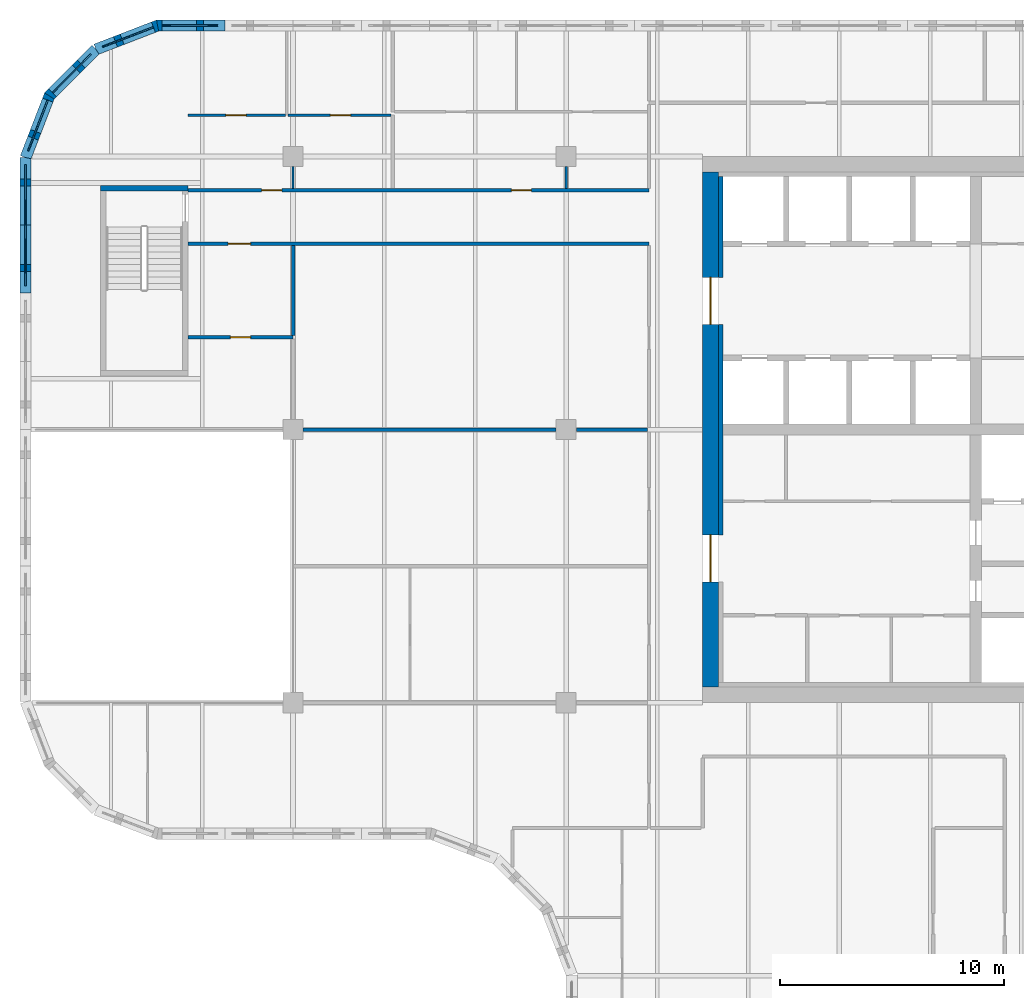
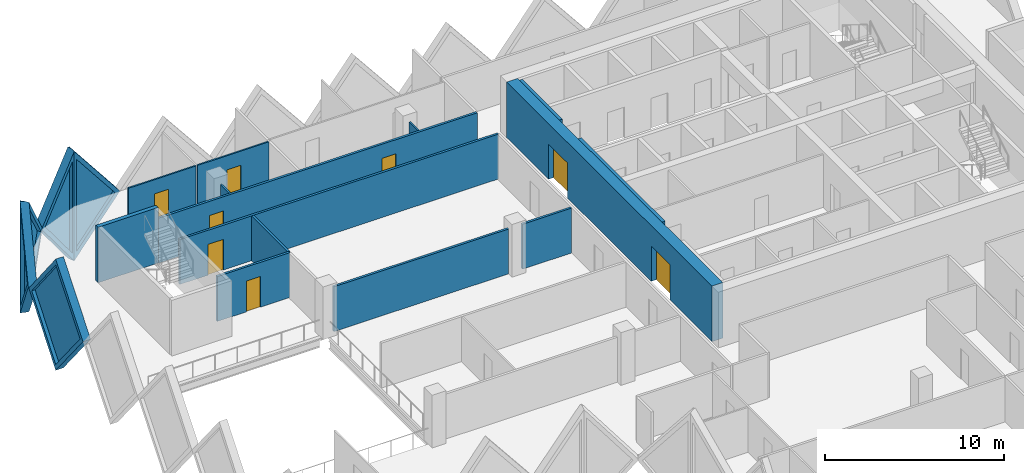
# One storey, part 7 of 12: 19 walls, 8 doors, 5 plates, 13 openings.
"""IFC4 building model written with IfcOpenShell, lengths in metres."""

from ifc_helpers import new_model, si_unit, direction, frame, frame_2d, origin, place, context, subcontext, project, spatial, polyline, rectangle, outline, extrude, faceted_brep, source, transform, mapped, material, layer, layer_set, type_object, element, fill, save


model = new_model("IFC4")

# Units and contexts
model_context = context("Model", 3, precision=1e-05, world=origin(), true_north=direction((0.0, 1.0)))
body_context = subcontext(model_context, "Body", "Model", "MODEL_VIEW")
ifc_project = project(units=[si_unit("LENGTHUNIT", "METRE"), si_unit("AREAUNIT", "SQUARE_METRE"), si_unit("VOLUMEUNIT", "CUBIC_METRE"), si_unit("PLANEANGLEUNIT", "RADIAN"), si_unit("MASSUNIT", "GRAM", prefix="KILO")], contexts=[model_context])

# Site, building, storey
site_placement = place(None, origin())
site = spatial("IfcSite", under=ifc_project, at=site_placement, CompositionType="ELEMENT")
building_placement = place(site_placement, origin())
building = spatial("IfcBuilding", under=site, at=building_placement, Name="Tessera Gate Towers", CompositionType="ELEMENT")
storey_placement = place(building_placement, frame((0.0, 0.0, 143.0)))
storey = spatial("IfcBuildingStorey", under=building, at=storey_placement, Name="L35", CompositionType="ELEMENT", Elevation=143.0)

# Wall
ifc_material_1 = material(Name="Concrete C40/50", Category="concrete")
ifc_layer_1 = layer(ifc_material_1, 0.25)
ifc_layer_set_1 = layer_set([ifc_layer_1], Name="CORE ENCLOSURE WALL 250")
wall_type_1 = type_object("IfcWallType", Name="CORE ENCLOSURE WALL 250", PredefinedType="SOLIDWALL", material=ifc_layer_set_1)
wall_1_placement = place(storey_placement, frame((3.60009765625, 47.375, 0.0), z_axis=(0.0, 0.0, 1.0), x_axis=(1.0, 0.0, 0.0)))
element("IfcWall", 1, at=wall_1_placement, inside=storey, type_object=wall_type_1, Name="L35 ST3 enclosure wall", PredefinedType="SOLIDWALL", context=body_context, shape_type="SweptSolid", body=[
    extrude(rectangle(XDim=3.89990234375, YDim=0.25, at=frame_2d((1.949951171875, 0.0))), origin(), (0.0, 0.0, 1.0), 3.800048828125),
])

# Wall, openings, doors
ifc_material_2 = material(Name="Concrete C60/75", Category="concrete")
ifc_layer_2 = layer(ifc_material_2, 0.699951171875)
ifc_layer_set_2 = layer_set([ifc_layer_2], Name="CORE SHEAR WALL 700 C60/75")
wall_type_2 = type_object("IfcWallType", Name="CORE SHEAR WALL 700 C60/75", PredefinedType="SHEAR", material=ifc_layer_set_2)
wall_2_placement = place(storey_placement, frame((30.85009765625, 25.10009765625, 0.0), z_axis=(0.0, 0.0, 1.0), x_axis=(0.0, 1.0, 0.0)))
wall_2 = element("IfcWall", 2, at=wall_2_placement, inside=storey, type_object=wall_type_2, Name="Core wall W L35", PredefinedType="SHEAR", context=body_context, shape_type="SweptSolid", body=[
    extrude(rectangle(XDim=23.0, YDim=0.699951171875, at=frame_2d((11.5, 0.0))), origin(), (0.0, 0.0, 1.0), 3.800048828125),
])
shared_shape_1 = source(origin(), body_context, "Body", "SweptSolid", [
    extrude(rectangle(XDim=2.10009765625, YDim=2.39990234375, at=frame_2d((1.050048828125, 1.199951171875))), frame((0.0, 0.35986328125, 0.0), z_axis=(0.0, -1.0, 0.0), x_axis=(1.0, 0.0, 0.0)), (0.0, 0.0, 1.0), 0.719970703125),
])
opening_1_placement = place(wall_2_placement, frame((4.699951171875, 0.0, 0.0)))
opening_1 = element("IfcOpeningElement", 3, at=opening_1_placement, cuts=wall_2, Name="Opening DD-T1-23-02", PredefinedType="OPENING", context=body_context, shape_type="MappedRepresentation", body=[
    mapped(shared_shape_1, transform((0.0, 0.0, 0.0), scale=1.0)),
])
opening_2_placement = place(wall_2_placement, frame((16.199951171875, 0.0, 0.0)))
opening_2 = element("IfcOpeningElement", 4, at=opening_2_placement, cuts=wall_2, Name="Opening DD-T1-23-03", PredefinedType="OPENING", context=body_context, shape_type="MappedRepresentation", body=[
    mapped(shared_shape_1, transform((0.0, 0.0, 0.0), scale=1.0)),
])
ifc_material_3 = material(Name="Hollow steel fire door", Category="steel")
door_type_1 = type_object("IfcDoorType", Name="CORE DOOR DD 2100x2400", OperationType="NOTDEFINED", PredefinedType="DOOR", material=ifc_material_3)
shared_shape_2 = source(origin(), body_context, "Body", "SweptSolid", [
    extrude(rectangle(XDim=2.10009765625, YDim=2.39990234375, at=frame_2d((1.050048828125, 1.199951171875))), frame((0.0, 0.02490234375, 0.0), z_axis=(0.0, -1.0, 0.0), x_axis=(1.0, 0.0, 0.0)), (0.0, 0.0, 1.0), 0.050048828125),
])
door_1_placement = place(opening_1_placement, origin())
door_1 = element("IfcDoor", 5, at=door_1_placement, inside=storey, type_object=door_type_1, Name="Core entrance door", OperationType="DOUBLE_DOOR_SINGLE_SWING", OverallHeight=2.39990234375, OverallWidth=2.10009765625, PredefinedType="DOOR", context=body_context, shape_type="MappedRepresentation", body=[
    mapped(shared_shape_2, transform((0.0, 0.0, 0.0), scale=1.0)),
])
fill(opening_1, door_1)
door_2_placement = place(opening_2_placement, origin())
door_2 = element("IfcDoor", 6, at=door_2_placement, inside=storey, type_object=door_type_1, Name="Core entrance door", OperationType="DOUBLE_DOOR_SINGLE_SWING", OverallHeight=2.39990234375, OverallWidth=2.10009765625, PredefinedType="DOOR", context=body_context, shape_type="MappedRepresentation", body=[
    mapped(shared_shape_2, transform((0.0, 0.0, 0.0), scale=1.0)),
])
fill(opening_2, door_2)

# Walls
ifc_material_4 = material(Name="Concrete C60/75", Category="concrete")
ifc_layer_3 = layer(ifc_material_4, 0.199951171875)
ifc_layer_set_3 = layer_set([ifc_layer_3], Name="CORE WALL THICKENING 200")
wall_type_3 = type_object("IfcWallType", Name="CORE WALL THICKENING 200", PredefinedType="SOLIDWALL", material=ifc_layer_set_3)
wall_3_placement = place(storey_placement, frame((31.300048828125, 31.89990234375, 0.0), z_axis=(0.0, 0.0, 1.0), x_axis=(0.0, 1.0, 0.0)))
element("IfcWall", 7, at=wall_3_placement, inside=storey, type_object=wall_type_3, Name="Core wall thickening W L35", PredefinedType="SOLIDWALL", context=body_context, shape_type="SweptSolid", body=[
    extrude(rectangle(XDim=9.400146484375, YDim=0.199951171875, at=frame_2d((4.7001953125, 0.0))), origin(), (0.0, 0.0, 1.0), 3.800048828125),
])
wall_4_placement = place(storey_placement, frame((31.300048828125, 43.39990234375, 0.0), z_axis=(0.0, 0.0, 1.0), x_axis=(0.0, 1.0, 0.0)))
element("IfcWall", 8, at=wall_4_placement, inside=storey, type_object=wall_type_3, Name="Core wall thickening W L35", PredefinedType="SOLIDWALL", context=body_context, shape_type="SweptSolid", body=[
    extrude(rectangle(XDim=4.5, YDim=0.199951171875, at=frame_2d((2.25, 0.0))), origin(), (0.0, 0.0, 1.0), 3.800048828125),
])

# Wall, opening, door
ifc_material_5 = material(Name="Gypsum board on steel studs, mineral wool", Category="steel")
ifc_layer_4 = layer(ifc_material_5, 0.14990234375)
ifc_layer_set_4 = layer_set([ifc_layer_4], Name="CORRIDOR WALL 150")
wall_type_4 = type_object("IfcWallType", Name="CORRIDOR WALL 150", PredefinedType="PARTITIONING", material=ifc_layer_set_4)
wall_5_placement = place(storey_placement, frame((28.10009765625, 44.89990234375, 0.0), z_axis=(0.0, 0.0, 1.0), x_axis=(-1.0, 0.0, 0.0)))
wall_5 = element("IfcWall", 9, at=wall_5_placement, inside=storey, type_object=wall_type_4, Name="T1-L35-PW-040", PredefinedType="PARTITIONING", context=body_context, shape_type="SweptSolid", body=[
    extrude(rectangle(XDim=20.60009765625, YDim=0.14990234375, at=frame_2d((10.300048828125, 0.0))), origin(), (0.0, 0.0, 1.0), 3.06689453125),
])
shared_shape_3 = source(origin(), body_context, "Body", "SweptSolid", [
    extrude(rectangle(XDim=1.0, YDim=2.10009765625, at=frame_2d((0.5, 1.050048828125))), frame((0.0, 0.0849609375, 0.0), z_axis=(0.0, -1.0, 0.0), x_axis=(1.0, 0.0, 0.0)), (0.0, 0.0, 1.0), 0.169921875),
])
opening_3_placement = place(wall_5_placement, frame((17.800048828125, 0.0, 0.0)))
opening_3 = element("IfcOpeningElement", 10, at=opening_3_placement, cuts=wall_5, Name="Opening D2100FD60-A13-01", PredefinedType="OPENING", context=body_context, shape_type="MappedRepresentation", body=[
    mapped(shared_shape_3, transform((0.0, 0.0, 0.0), scale=1.0)),
])
ifc_material_6 = material(Name="Timber door leaf in steel frame", Category="steel")
door_type_2 = type_object("IfcDoorType", Name="TENANCY ENTRANCE DOOR 1000 FD60", OperationType="NOTDEFINED", PredefinedType="DOOR", material=ifc_material_6)
shared_shape_4 = source(origin(), body_context, "Body", "SweptSolid", [
    extrude(rectangle(XDim=1.0, YDim=2.10009765625, at=frame_2d((0.5, 1.050048828125))), frame((0.0, 0.02490234375, 0.0), z_axis=(0.0, -1.0, 0.0), x_axis=(1.0, 0.0, 0.0)), (0.0, 0.0, 1.0), 0.050048828125),
])
door_3_placement = place(opening_3_placement, origin())
door_3 = element("IfcDoor", 11, at=door_3_placement, inside=storey, type_object=door_type_2, Name="T1-L35-PD-006", OperationType="SINGLE_SWING_RIGHT", OverallHeight=2.10009765625, OverallWidth=1.0, PredefinedType="DOOR", context=body_context, shape_type="MappedRepresentation", body=[
    mapped(shared_shape_4, transform((0.0, 0.0, 0.0), scale=1.0)),
])
fill(opening_3, door_3)

# Wall, openings, doors
wall_6_placement = place(storey_placement, frame((7.5, 47.300048828125, 0.0), z_axis=(0.0, 0.0, 1.0), x_axis=(1.0, 0.0, 0.0)))
wall_6 = element("IfcWall", 12, at=wall_6_placement, inside=storey, type_object=wall_type_4, Name="T1-L35-PW-041", PredefinedType="PARTITIONING", context=body_context, shape_type="SweptSolid", body=[
    extrude(rectangle(XDim=20.60009765625, YDim=0.14990234375, at=frame_2d((10.300048828125, 0.0))), origin(), (0.0, 0.0, 1.0), 3.06689453125),
])
shared_shape_5 = source(origin(), body_context, "Body", "SweptSolid", [
    extrude(rectangle(XDim=0.89990234375, YDim=2.10009765625, at=frame_2d((0.449951171875, 1.050048828125))), frame((0.0, 0.0849609375, 0.0), z_axis=(0.0, -1.0, 0.0), x_axis=(1.0, 0.0, 0.0)), (0.0, 0.0, 1.0), 0.169921875),
])
opening_4_placement = place(wall_6_placement, frame((3.300048828125, 0.0, 0.0)))
opening_4 = element("IfcOpeningElement", 13, at=opening_4_placement, cuts=wall_6, Name="Opening D890FD60-A13-05", PredefinedType="OPENING", context=body_context, shape_type="MappedRepresentation", body=[
    mapped(shared_shape_5, transform((0.0, 0.0, 0.0), scale=1.0)),
])
opening_5_placement = place(wall_6_placement, frame((14.449951171875, 0.0, 0.0)))
opening_5 = element("IfcOpeningElement", 14, at=opening_5_placement, cuts=wall_6, Name="Opening D890FD60-A13-06", PredefinedType="OPENING", context=body_context, shape_type="MappedRepresentation", body=[
    mapped(shared_shape_5, transform((0.0, 0.0, 0.0), scale=1.0)),
])
ifc_material_7 = material(Name="Timber door leaf in steel frame", Category="steel")
door_type_3 = type_object("IfcDoorType", Name="CORRIDOR DOOR 900 FD60", OperationType="NOTDEFINED", PredefinedType="DOOR", material=ifc_material_7)
shared_shape_6 = source(origin(), body_context, "Body", "SweptSolid", [
    extrude(rectangle(XDim=0.89990234375, YDim=2.10009765625, at=frame_2d((0.449951171875, 1.050048828125))), frame((0.0, 0.02490234375, 0.0), z_axis=(0.0, -1.0, 0.0), x_axis=(1.0, 0.0, 0.0)), (0.0, 0.0, 1.0), 0.050048828125),
])
door_4_placement = place(opening_4_placement, origin())
door_4 = element("IfcDoor", 15, at=door_4_placement, inside=storey, type_object=door_type_3, Name="T1-L35-PD-024", OperationType="SINGLE_SWING_RIGHT", OverallHeight=2.10009765625, OverallWidth=0.89990234375, PredefinedType="DOOR", context=body_context, shape_type="MappedRepresentation", body=[
    mapped(shared_shape_6, transform((0.0, 0.0, 0.0), scale=1.0)),
])
fill(opening_4, door_4)
door_5_placement = place(opening_5_placement, origin())
door_5 = element("IfcDoor", 16, at=door_5_placement, inside=storey, type_object=door_type_3, Name="T1-L35-PD-026", OperationType="SINGLE_SWING_LEFT", OverallHeight=2.10009765625, OverallWidth=0.89990234375, PredefinedType="DOOR", context=body_context, shape_type="MappedRepresentation", body=[
    mapped(shared_shape_6, transform((0.0, 0.0, 0.0), scale=1.0)),
])
fill(opening_5, door_5)

# Wall, opening, door
ifc_material_8 = material(Name="Glass", Category="glass")
ifc_layer_5 = layer(ifc_material_8, 0.10009765625)
ifc_layer_set_5 = layer_set([ifc_layer_5], Name="GLAZED PARTITION 100")
wall_type_5 = type_object("IfcWallType", Name="GLAZED PARTITION 100", PredefinedType="PARTITIONING", material=ifc_layer_set_5)
wall_7_placement = place(storey_placement, frame((7.5, 50.64990234375, 0.0), z_axis=(0.0, 0.0, 1.0), x_axis=(1.0, 0.0, 0.0)))
wall_7 = element("IfcWall", 17, at=wall_7_placement, inside=storey, type_object=wall_type_5, Name="T1-L35-PW-046", PredefinedType="PARTITIONING", context=body_context, shape_type="SweptSolid", body=[
    extrude(rectangle(XDim=4.369384765625, YDim=0.10009765625, at=frame_2d((2.1845703125, 0.0))), origin(), (0.0, 0.0, 1.0), 3.06689453125),
])
shared_shape_7 = source(origin(), body_context, "Body", "SweptSolid", [
    extrude(rectangle(XDim=0.89990234375, YDim=2.10009765625, at=frame_2d((0.449951171875, 1.050048828125))), frame((0.0, 0.06005859375, 0.0), z_axis=(0.0, -1.0, 0.0), x_axis=(1.0, 0.0, 0.0)), (0.0, 0.0, 1.0), 0.1201171875),
])
opening_6_placement = place(wall_7_placement, frame((1.699951171875, 0.0, 0.0)))
opening_6 = element("IfcOpeningElement", 18, at=opening_6_placement, cuts=wall_7, Name="Opening D690-A13-01", PredefinedType="OPENING", context=body_context, shape_type="MappedRepresentation", body=[
    mapped(shared_shape_7, transform((0.0, 0.0, 0.0), scale=1.0)),
])
ifc_material_9 = material(Name="Glass in aluminium frame", Category="aluminium")
door_type_4 = type_object("IfcDoorType", Name="GLAZED DOOR 900 NOT RATED", OperationType="NOTDEFINED", PredefinedType="DOOR", material=ifc_material_9)
door_6_placement = place(opening_6_placement, origin())
door_6 = element("IfcDoor", 19, at=door_6_placement, inside=storey, type_object=door_type_4, Name="T1-L35-PD-003", OperationType="SINGLE_SWING_LEFT", OverallHeight=2.10009765625, OverallWidth=0.89990234375, PredefinedType="DOOR", context=body_context, shape_type="MappedRepresentation", body=[
    mapped(shared_shape_6, transform((0.0, 0.0, 0.0), scale=1.0)),
])
fill(opening_6, door_6)

wall_8_placement = place(storey_placement, frame((11.97119140625, 50.64990234375, 0.0), z_axis=(0.0, 0.0, 1.0), x_axis=(1.0, 0.0, 0.0)))
wall_8 = element("IfcWall", 20, at=wall_8_placement, inside=storey, type_object=wall_type_5, Name="T1-L35-PW-048", PredefinedType="PARTITIONING", context=body_context, shape_type="SweptSolid", body=[
    extrude(rectangle(XDim=4.602783203125, YDim=0.10009765625, at=frame_2d((2.30126953125, 0.0))), origin(), (0.0, 0.0, 1.0), 3.06689453125),
])
opening_7_placement = place(wall_8_placement, frame((1.89990234375, 0.0, 0.0)))
opening_7 = element("IfcOpeningElement", 21, at=opening_7_placement, cuts=wall_8, Name="Opening D690-A13-02", PredefinedType="OPENING", context=body_context, shape_type="MappedRepresentation", body=[
    mapped(shared_shape_7, transform((0.0, 0.0, 0.0), scale=1.0)),
])
door_7_placement = place(opening_7_placement, origin())
door_7 = element("IfcDoor", 22, at=door_7_placement, inside=storey, type_object=door_type_4, Name="T1-L35-PD-005", OperationType="SINGLE_SWING_LEFT", OverallHeight=2.10009765625, OverallWidth=0.89990234375, PredefinedType="DOOR", context=body_context, shape_type="MappedRepresentation", body=[
    mapped(shared_shape_6, transform((0.0, 0.0, 0.0), scale=1.0)),
])
fill(opening_7, door_7)

# Walls
ifc_material_10 = material(Name="Gypsum board on steel studs", Category="steel")
ifc_layer_6 = layer(ifc_material_10, 0.10009765625)
ifc_layer_set_6 = layer_set([ifc_layer_6], Name="PARTITION 100")
wall_type_6 = type_object("IfcWallType", Name="PARTITION 100", PredefinedType="PARTITIONING", material=ifc_layer_set_6)
for number, where, z_axis, x_axis, name in (
    (23, (12.199951171875, 48.35009765625, 0.0), (0.0, 0.0, 1.0), (0.0, -1.0, 0.0), "T1-L35-PW-044"),
    (24, (24.39990234375, 48.35009765625, 0.0), (0.0, 0.0, 1.0), (0.0, -1.0, 0.0), "T1-L35-PW-045"),
):
    element("IfcWall", number, at=place(storey_placement, frame(where, z_axis=z_axis, x_axis=x_axis)), inside=storey, type_object=wall_type_6, Name=name, PredefinedType="PARTITIONING", context=body_context, shape_type="SweptSolid", body=[
        extrude(rectangle(XDim=0.97509765625, YDim=0.10009765625, at=frame_2d((0.487548828125, 0.0))), origin(), (0.0, 0.0, 1.0), 3.06689453125),
    ])
ifc_material_11 = material(Name="Gypsum board on steel studs, mineral wool", Category="steel")
ifc_layer_7 = layer(ifc_material_11, 0.14990234375)
ifc_layer_set_7 = layer_set([ifc_layer_7], Name="TENANCY WALL 150")
wall_type_7 = type_object("IfcWallType", Name="TENANCY WALL 150", PredefinedType="PARTITIONING", material=ifc_layer_set_7)
wall_9_placement = place(storey_placement, frame((12.65087890625, 36.60009765625, 0.0), z_axis=(0.0, 0.0, 1.0), x_axis=(1.0, 0.0, 0.0)))
element("IfcWall", 25, at=wall_9_placement, inside=storey, type_object=wall_type_7, Name="T1-L35-PW-035", PredefinedType="PARTITIONING", context=body_context, shape_type="SweptSolid", body=[
    extrude(rectangle(XDim=11.298095703125, YDim=0.14990234375, at=frame_2d((5.64892578125, 0.0))), origin(), (0.0, 0.0, 1.0), 3.06689453125),
])
wall_10_placement = place(storey_placement, frame((24.85107421875, 36.60009765625, 0.0), z_axis=(0.0, 0.0, 1.0), x_axis=(1.0, 0.0, 0.0)))
element("IfcWall", 26, at=wall_10_placement, inside=storey, type_object=wall_type_7, Name="T1-L35-PW-036", PredefinedType="PARTITIONING", context=body_context, shape_type="SweptSolid", body=[
    extrude(rectangle(XDim=3.1728515625, YDim=0.14990234375, at=frame_2d((1.58642578125, 0.0))), origin(), (0.0, 0.0, 1.0), 3.06689453125),
])

# Wall, opening, door
wall_11_placement = place(storey_placement, frame((12.199951171875, 40.72509765625, 0.0), z_axis=(0.0, 0.0, 1.0), x_axis=(-1.0, 0.0, 0.0)))
wall_11 = element("IfcWall", 27, at=wall_11_placement, inside=storey, type_object=wall_type_7, Name="T1-L35-PW-038", PredefinedType="PARTITIONING", context=body_context, shape_type="SweptSolid", body=[
    extrude(rectangle(XDim=4.699951171875, YDim=0.14990234375, at=frame_2d((2.35009765625, 0.0))), origin(), (0.0, 0.0, 1.0), 3.06689453125),
])
opening_8_placement = place(wall_11_placement, frame((1.89990234375, 0.0, 0.0)))
opening_8 = element("IfcOpeningElement", 28, at=opening_8_placement, cuts=wall_11, Name="Opening D190-A13-03", PredefinedType="OPENING", context=body_context, shape_type="MappedRepresentation", body=[
    mapped(shared_shape_5, transform((0.0, 0.0, 0.0), scale=1.0)),
])
ifc_material_12 = material(Name="Timber door leaf in steel frame", Category="steel")
door_type_5 = type_object("IfcDoorType", Name="INTERNAL DOOR 900 NOT RATED", OperationType="NOTDEFINED", PredefinedType="DOOR", material=ifc_material_12)
door_8_placement = place(opening_8_placement, origin())
door_8 = element("IfcDoor", 29, at=door_8_placement, inside=storey, type_object=door_type_5, Name="T1-L35-PD-007", OperationType="SINGLE_SWING_RIGHT", OverallHeight=2.10009765625, OverallWidth=0.89990234375, PredefinedType="DOOR", context=body_context, shape_type="MappedRepresentation", body=[
    mapped(shared_shape_6, transform((0.0, 0.0, 0.0), scale=1.0)),
])
fill(opening_8, door_8)

# Wall
wall_12_placement = place(storey_placement, frame((12.199951171875, 40.801025390625, 0.0), z_axis=(0.0, 0.0, 1.0), x_axis=(0.0, 1.0, 0.0)))
element("IfcWall", 30, at=wall_12_placement, inside=storey, type_object=wall_type_7, Name="T1-L35-PW-039", PredefinedType="PARTITIONING", context=body_context, shape_type="SweptSolid", body=[
    extrude(rectangle(XDim=4.02294921875, YDim=0.14990234375, at=frame_2d((2.011474609375, 0.0))), origin(), (0.0, 0.0, 1.0), 3.06689453125),
])

# Wall, opening, plate
ifc_material_13 = material(Name="Precast concrete C60/75 white", Category="concrete")
ifc_layer_8 = layer(ifc_material_13, 0.5)
ifc_layer_set_8 = layer_set([ifc_layer_8], Name="TS1 tessera")
wall_type_8 = type_object("IfcWallType", Name="TS1 tessera", PredefinedType="SOLIDWALL", material=ifc_layer_set_8)
shared_shape_8 = source(origin(), body_context, "Body", "Brep", [
    faceted_brep([(3.00341796875, -0.25, 0.0), (6.053466796875, -0.25, 3.800048828125), (3.00341796875, -0.25, 7.60009765625), (0.0, -0.25, 3.800048828125), (0.046630859375, 0.25, 3.85888671875), (3.00341796875, 0.25, 7.60009765625), (6.053466796875, 0.25, 3.800048828125), (3.00341796875, 0.25, 0.0), (0.046630859375, 0.25, 3.7412109375), (0.0, 0.0, 3.800048828125)], [[[0, 1, 2, 3]], [[4, 5, 6, 7, 8]], [[7, 6, 1, 0]], [[6, 5, 2, 1]], [[5, 4, 9, 3, 2]], [[8, 7, 0, 3, 9]], [[8, 9, 4]]]),
])
wall_13_placement = place(storey_placement, frame((0.25, 48.75341796875, -3.800048828125), z_axis=(0.0, 0.0, 1.0), x_axis=(0.0, -1.0, 0.0)))
wall_13 = element("IfcWall", 31, at=wall_13_placement, inside=storey, type_object=wall_type_8, Name="Precast tessera T1 TS1-0615", PredefinedType="SOLIDWALL", context=body_context, shape_type="MappedRepresentation", body=[
    mapped(shared_shape_8, transform((0.0, 0.0, 0.0), scale=1.0)),
])
shared_shape_9 = source(origin(), body_context, "Body", "SweptSolid", [
    extrude(outline(polyline([(3.0048828125, 0.4013671875), (5.73291015625, 3.800048828125), (3.0048828125, 7.19873046875), (0.318603515625, 3.800048828125), (3.0048828125, 0.4013671875)])), frame((0.0, 0.260009765625, 0.0), z_axis=(0.0, -1.0, 0.0), x_axis=(1.0, 0.0, 0.0)), (0.0, 0.0, 1.0), 0.52001953125),
])
opening_9_placement = place(wall_13_placement, origin())
opening_9 = element("IfcOpeningElement", 32, at=opening_9_placement, cuts=wall_13, Name="Opening T1-PL2-1253", PredefinedType="OPENING", context=body_context, shape_type="MappedRepresentation", body=[
    mapped(shared_shape_9, transform((0.0, 0.0, 0.0), scale=1.0)),
])
ifc_material_14 = material(Name="Low-e laminated glass", Category="glass")
ifc_layer_9 = layer(ifc_material_14, 0.06005859375)
ifc_layer_set_9 = layer_set([ifc_layer_9], Name="PL2 rhombic pane")
plate_type = type_object("IfcPlateType", Name="PL2 rhombic pane", PredefinedType="SHEET", material=ifc_layer_set_9)
shared_shape_10 = source(origin(), body_context, "Body", "SweptSolid", [
    extrude(outline(polyline([(3.0048828125, 0.4013671875), (5.73291015625, 3.800048828125), (3.0048828125, 7.19873046875), (0.318603515625, 3.800048828125), (3.0048828125, 0.4013671875)])), frame((0.0, 0.030029296875, 0.0), z_axis=(0.0, -1.0, 0.0), x_axis=(1.0, 0.0, 0.0)), (0.0, 0.0, 1.0), 0.06005859375),
])
plate_1_placement = place(opening_9_placement, origin())
plate_1 = element("IfcPlate", 33, at=plate_1_placement, inside=storey, type_object=plate_type, Name="Glass pane T1 PL2-1253", PredefinedType="SHEET", context=body_context, shape_type="MappedRepresentation", body=[
    mapped(shared_shape_10, transform((0.0, 0.0, 0.0), scale=1.0)),
])
fill(opening_9, plate_1)

ifc_material_15 = material(Name="Precast concrete C60/75 white", Category="concrete")
ifc_layer_10 = layer(ifc_material_15, 0.5)
ifc_layer_set_10 = layer_set([ifc_layer_10], Name="TS3 corner tessera")
wall_type_9 = type_object("IfcWallType", Name="TS3 corner tessera", PredefinedType="SOLIDWALL", material=ifc_layer_set_10)
shared_shape_11 = source(origin(), body_context, "Body", "Brep", [
    faceted_brep([(3.00341796875, -0.25, 0.0), (3.050048828125, -0.25, 0.06005859375), (3.050048828125, -0.25, 7.5400390625), (3.00341796875, -0.25, 7.60009765625), (0.0, -0.25, 3.800048828125), (0.0, 0.25, 3.800048828125), (2.956787109375, 0.25, 7.541259765625), (2.956787109375, 0.25, 0.058837890625), (3.00341796875, 0.000244140625, 0.0), (3.00341796875, 0.000244140625, 7.60009765625)], [[[0, 1, 2, 3, 4]], [[5, 6, 7]], [[1, 0, 8]], [[9, 3, 2]], [[6, 5, 4, 3, 9]], [[5, 7, 8, 0, 4]], [[1, 8, 7, 6, 9, 2]]]),
])
wall_14_placement = place(storey_placement, frame((9.14990234375, 54.64990234375, -3.800048828125), z_axis=(0.0, 0.0, 1.0), x_axis=(-1.0, 0.0, 0.0)))
wall_14 = element("IfcWall", 34, at=wall_14_placement, inside=storey, type_object=wall_type_9, Name="Precast corner tessera T1 TS3-0803", PredefinedType="SOLIDWALL", context=body_context, shape_type="MappedRepresentation", body=[
    mapped(shared_shape_11, transform((0.0, 0.0, 0.0), scale=1.0)),
])
shared_shape_12 = source(origin(), body_context, "Body", "SweptSolid", [
    extrude(outline(polyline([(2.803466796875, 6.94384765625), (0.318603515625, 3.800048828125), (2.803466796875, 0.65625), (2.803466796875, 6.94384765625)])), frame((0.0, 0.260009765625, 0.0), z_axis=(0.0, -1.0, 0.0), x_axis=(1.0, 0.0, 0.0)), (0.0, 0.0, 1.0), 0.52001953125),
])
opening_10_placement = place(wall_14_placement, origin())
opening_10 = element("IfcOpeningElement", 35, at=opening_10_placement, cuts=wall_14, Name="Opening T1-PL2-1249", PredefinedType="OPENING", context=body_context, shape_type="MappedRepresentation", body=[
    mapped(shared_shape_12, transform((0.0, 0.0, 0.0), scale=1.0)),
])
shared_shape_13 = source(origin(), body_context, "Body", "SweptSolid", [
    extrude(outline(polyline([(2.803466796875, 6.94384765625), (0.318603515625, 3.800048828125), (2.803466796875, 0.65625), (2.803466796875, 6.94384765625)])), frame((0.0, 0.030029296875, 0.0), z_axis=(0.0, -1.0, 0.0), x_axis=(1.0, 0.0, 0.0)), (0.0, 0.0, 1.0), 0.06005859375),
])
plate_2_placement = place(opening_10_placement, origin())
plate_2 = element("IfcPlate", 36, at=plate_2_placement, inside=storey, type_object=plate_type, Name="Glass pane T1 PL2-1249", PredefinedType="SHEET", context=body_context, shape_type="MappedRepresentation", body=[
    mapped(shared_shape_13, transform((0.0, 0.0, 0.0), scale=1.0)),
])
fill(opening_10, plate_2)

shared_shape_14 = source(origin(), body_context, "Body", "Brep", [
    faceted_brep([(0.046630859375, -0.25, 0.0), (2.9970703125, -0.25, 3.800048828125), (0.046630859375, -0.25, 7.60009765625), (0.0, -0.25, 7.541259765625), (0.0, -0.25, 0.058837890625), (0.09326171875, 0.25, 7.5400390625), (2.9443359375, 0.25, 3.8681640625), (2.9443359375, 0.25, 3.73193359375), (0.09326171875, 0.25, 0.06005859375), (2.9970703125, 0.00048828125, 3.800048828125), (0.046630859375, 0.0, 0.0), (0.046630859375, 0.0, 7.60009765625)], [[[0, 1, 2, 3, 4]], [[5, 6, 7, 8]], [[8, 7, 9, 1, 0, 10]], [[6, 5, 11, 2, 1, 9]], [[3, 2, 11]], [[10, 0, 4]], [[8, 10, 4, 3, 11, 5]], [[9, 7, 6]]]),
])
wall_15_placement = place(storey_placement, frame((6.18994140625, 54.666748046875, -3.800048828125), z_axis=(0.0, 0.0, 1.0), x_axis=(-0.932990326376, -0.359901446078, 0.0)))
wall_15 = element("IfcWall", 37, at=wall_15_placement, inside=storey, type_object=wall_type_9, Name="Precast corner tessera T1 TS3-0804", PredefinedType="SOLIDWALL", context=body_context, shape_type="MappedRepresentation", body=[
    mapped(shared_shape_14, transform((0.0, 0.0, 0.0), scale=1.0)),
])
shared_shape_15 = source(origin(), body_context, "Body", "SweptSolid", [
    extrude(outline(polyline([(0.24658203125, 0.665283203125), (2.6806640625, 3.800048828125), (0.24658203125, 6.934814453125), (0.24658203125, 0.665283203125)])), frame((0.0, 0.260009765625, 0.0), z_axis=(0.0, -1.0, 0.0), x_axis=(1.0, 0.0, 0.0)), (0.0, 0.0, 1.0), 0.52001953125),
])
opening_11_placement = place(wall_15_placement, origin())
opening_11 = element("IfcOpeningElement", 38, at=opening_11_placement, cuts=wall_15, Name="Opening T1-PL2-1250", PredefinedType="OPENING", context=body_context, shape_type="MappedRepresentation", body=[
    mapped(shared_shape_15, transform((0.0, 0.0, 0.0), scale=1.0)),
])
shared_shape_16 = source(origin(), body_context, "Body", "SweptSolid", [
    extrude(outline(polyline([(0.24658203125, 0.665283203125), (2.6806640625, 3.800048828125), (0.24658203125, 6.934814453125), (0.24658203125, 0.665283203125)])), frame((0.0, 0.030029296875, 0.0), z_axis=(0.0, -1.0, 0.0), x_axis=(1.0, 0.0, 0.0)), (0.0, 0.0, 1.0), 0.06005859375),
])
plate_3_placement = place(opening_11_placement, origin())
plate_3 = element("IfcPlate", 39, at=plate_3_placement, inside=storey, type_object=plate_type, Name="Glass pane T1 PL2-1250", PredefinedType="SHEET", context=body_context, shape_type="MappedRepresentation", body=[
    mapped(shared_shape_16, transform((0.0, 0.0, 0.0), scale=1.0)),
])
fill(opening_11, plate_3)

shared_shape_17 = source(origin(), body_context, "Body", "Brep", [
    faceted_brep([(0.052978515625, -0.25, 0.0), (3.00341796875, -0.25, 3.800048828125), (0.052978515625, -0.25, 7.60009765625), (0.0, -0.25, 7.53173828125), (0.0, -0.25, 0.068359375), (0.10595703125, 0.25, 7.531982421875), (2.95703125, 0.25, 3.85986328125), (2.95703125, 0.25, 3.740234375), (0.10595703125, 0.25, 0.068115234375), (3.00341796875, 0.00048828125, 3.800048828125), (0.052978515625, 0.0, 0.0), (0.052978515625, 0.0, 7.60009765625)], [[[0, 1, 2, 3, 4]], [[5, 6, 7, 8]], [[8, 7, 9, 1, 0, 10]], [[6, 5, 11, 2, 1, 9]], [[3, 2, 11]], [[10, 0, 4]], [[8, 10, 4, 3, 11, 5]], [[9, 7, 6]]]),
])
wall_16_placement = place(storey_placement, frame((1.3310546875, 51.5556640625, -3.800048828125), z_axis=(0.0, 0.0, 1.0), x_axis=(-0.35992665181, -0.932980602862, 0.0)))
wall_16 = element("IfcWall", 40, at=wall_16_placement, inside=storey, type_object=wall_type_9, Name="Precast corner tessera T1 TS3-0806", PredefinedType="SOLIDWALL", context=body_context, shape_type="MappedRepresentation", body=[
    mapped(shared_shape_17, transform((0.0, 0.0, 0.0), scale=1.0)),
])
shared_shape_18 = source(origin(), body_context, "Body", "SweptSolid", [
    extrude(outline(polyline([(0.2529296875, 0.665283203125), (2.68701171875, 3.800048828125), (0.2529296875, 6.934814453125), (0.2529296875, 0.665283203125)])), frame((0.0, 0.260009765625, 0.0), z_axis=(0.0, -1.0, 0.0), x_axis=(1.0, 0.0, 0.0)), (0.0, 0.0, 1.0), 0.52001953125),
])
opening_12_placement = place(wall_16_placement, origin())
opening_12 = element("IfcOpeningElement", 41, at=opening_12_placement, cuts=wall_16, Name="Opening T1-PL2-1252", PredefinedType="OPENING", context=body_context, shape_type="MappedRepresentation", body=[
    mapped(shared_shape_18, transform((0.0, 0.0, 0.0), scale=1.0)),
])
shared_shape_19 = source(origin(), body_context, "Body", "SweptSolid", [
    extrude(outline(polyline([(0.2529296875, 0.665283203125), (2.68701171875, 3.800048828125), (0.2529296875, 6.934814453125), (0.2529296875, 0.665283203125)])), frame((0.0, 0.030029296875, 0.0), z_axis=(0.0, -1.0, 0.0), x_axis=(1.0, 0.0, 0.0)), (0.0, 0.0, 1.0), 0.06005859375),
])
plate_4_placement = place(opening_12_placement, origin())
plate_4 = element("IfcPlate", 42, at=plate_4_placement, inside=storey, type_object=plate_type, Name="Glass pane T1 PL2-1252", PredefinedType="SHEET", context=body_context, shape_type="MappedRepresentation", body=[
    mapped(shared_shape_19, transform((0.0, 0.0, 0.0), scale=1.0)),
])
fill(opening_12, plate_4)

shared_shape_20 = source(origin(), body_context, "Body", "Brep", [
    faceted_brep([(2.944091796875, -0.25, 0.0), (2.9970703125, -0.25, 0.068115234375), (2.9970703125, -0.25, 7.531982421875), (2.944091796875, -0.25, 7.60009765625), (0.0, -0.25, 3.800048828125), (0.052978515625, 0.25, 3.868408203125), (2.89111328125, 0.25, 7.531982421875), (2.89111328125, 0.25, 0.068115234375), (0.052978515625, 0.25, 3.731689453125), (2.944091796875, 0.000244140625, 0.0), (2.944091796875, 0.000244140625, 7.60009765625), (0.0, 0.0, 3.800048828125)], [[[0, 1, 2, 3, 4]], [[5, 6, 7, 8]], [[1, 0, 9]], [[10, 3, 2]], [[6, 5, 11, 4, 3, 10]], [[8, 7, 9, 0, 4, 11]], [[8, 11, 5]], [[1, 9, 7, 6, 10, 2]]]),
])
wall_17_placement = place(storey_placement, frame((3.393798828125, 53.588134765625, -3.800048828125), z_axis=(0.0, 0.0, 1.0), x_axis=(-0.707106781187, -0.707106781187, 0.0)))
wall_17 = element("IfcWall", 43, at=wall_17_placement, inside=storey, type_object=wall_type_9, Name="Precast corner tessera T1 TS3-0805", PredefinedType="SOLIDWALL", context=body_context, shape_type="MappedRepresentation", body=[
    mapped(shared_shape_20, transform((0.0, 0.0, 0.0), scale=1.0)),
])
shared_shape_21 = source(origin(), body_context, "Body", "SweptSolid", [
    extrude(outline(polyline([(2.744140625, 6.933837890625), (0.316162109375, 3.800048828125), (2.744140625, 0.666259765625), (2.744140625, 6.933837890625)])), frame((0.0, 0.260009765625, 0.0), z_axis=(0.0, -1.0, 0.0), x_axis=(1.0, 0.0, 0.0)), (0.0, 0.0, 1.0), 0.52001953125),
])
opening_13_placement = place(wall_17_placement, origin())
opening_13 = element("IfcOpeningElement", 44, at=opening_13_placement, cuts=wall_17, Name="Opening T1-PL2-1251", PredefinedType="OPENING", context=body_context, shape_type="MappedRepresentation", body=[
    mapped(shared_shape_21, transform((0.0, 0.0, 0.0), scale=1.0)),
])
shared_shape_22 = source(origin(), body_context, "Body", "SweptSolid", [
    extrude(outline(polyline([(2.744140625, 6.933837890625), (0.316162109375, 3.800048828125), (2.744140625, 0.666259765625), (2.744140625, 6.933837890625)])), frame((0.0, 0.030029296875, 0.0), z_axis=(0.0, -1.0, 0.0), x_axis=(1.0, 0.0, 0.0)), (0.0, 0.0, 1.0), 0.06005859375),
])
plate_5_placement = place(opening_13_placement, origin())
plate_5 = element("IfcPlate", 45, at=plate_5_placement, inside=storey, type_object=plate_type, Name="Glass pane T1 PL2-1251", PredefinedType="SHEET", context=body_context, shape_type="MappedRepresentation", body=[
    mapped(shared_shape_22, transform((0.0, 0.0, 0.0), scale=1.0)),
])
fill(opening_13, plate_5)

save(model, "model.ifc")
